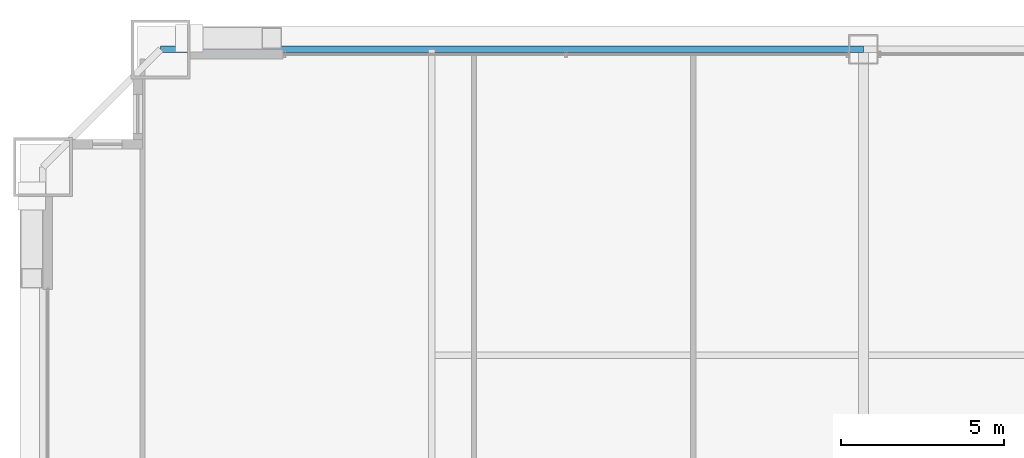
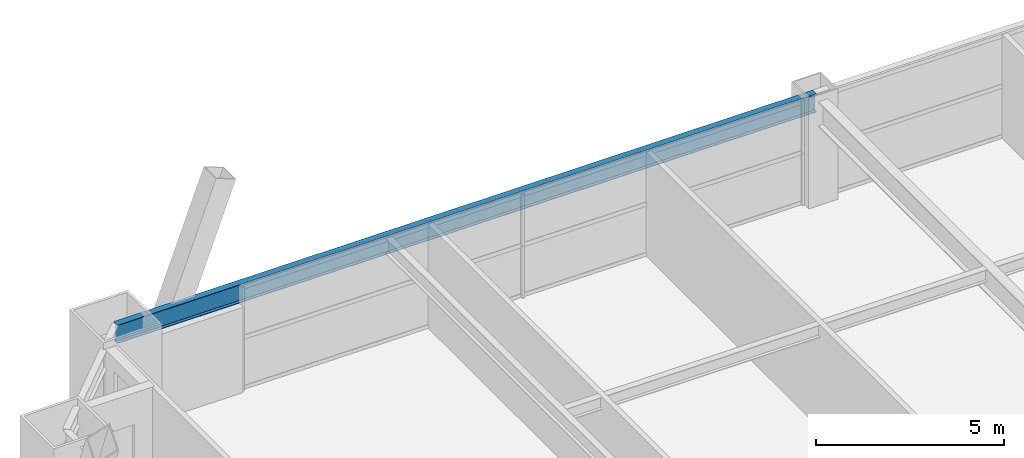
# One storey, part 27 of 43: 1 beam.
"""IFC4 building model written with IfcOpenShell, lengths in metres."""

from ifc_helpers import new_model, si_unit, direction, frame, origin, origin_2d, place, context, subcontext, project, spatial, i_section, extrude, source, transform, mapped, material, material_profile, profile_set, type_object, element, save


model = new_model("IFC4")

# Units and contexts
model_context = context("Model", 3, precision=1e-05, world=origin(), true_north=direction((0.0, 1.0)))
body_context = subcontext(model_context, "Body", "Model", "MODEL_VIEW")
ifc_project = project(units=[si_unit("LENGTHUNIT", "METRE"), si_unit("AREAUNIT", "SQUARE_METRE"), si_unit("VOLUMEUNIT", "CUBIC_METRE"), si_unit("PLANEANGLEUNIT", "RADIAN"), si_unit("MASSUNIT", "GRAM", prefix="KILO"), si_unit("THERMODYNAMICTEMPERATUREUNIT", "KELVIN"), si_unit("POWERUNIT", "WATT")], contexts=[model_context])

# Site, building, storey
site_placement = place(None, origin())
site = spatial("IfcSite", under=ifc_project, at=site_placement, CompositionType="ELEMENT")
building_placement = place(site_placement, origin())
building = spatial("IfcBuilding", under=site, at=building_placement, Name="Yuzanri Waterfront Tower", CompositionType="ELEMENT")
storey_placement = place(building_placement, frame((0.0, 0.0, 60.39990234375)))
storey = spatial("IfcBuildingStorey", under=building, at=storey_placement, Name="L15", CompositionType="ELEMENT", Elevation=60.39990234375)

# Beam
ifc_material = material(Name="Steel Q355B", Category="steel")
ifc_material_profile = material_profile(ifc_material, i_section(OverallWidth=0.199951171875, OverallDepth=0.60009765625, WebThickness=0.010986328125, FlangeThickness=0.01708984375, at=origin_2d()), Name="HN 600x200x11x17")
ifc_profile_set = profile_set([ifc_material_profile], Name="Steel Q355B")
beam_type = type_object("IfcBeamType", Name="Perimeter Spandrel Q355B HN 600x200", PredefinedType="SPANDREL", material=ifc_profile_set)
shared_shape = source(origin(), body_context, "Body", "SweptSolid", [
    extrude(i_section(OverallWidth=0.199951171875, OverallDepth=0.60009765625, WebThickness=0.010986328125, FlangeThickness=0.01708984375, at=origin_2d()), origin(), (0.0, 0.0, 1.0), 21.5),
])
beam_placement = place(storey_placement, frame((37.0, 50.89990234375, 3.080078125), z_axis=(-1.0, 0.0, 0.0), x_axis=(0.0, -1.0, 0.0)))
element("IfcBeam", 1, at=beam_placement, inside=storey, type_object=beam_type, Name="L15 Perimeter Spandrel N2-N1", PredefinedType="SPANDREL", context=body_context, shape_type="MappedRepresentation", body=[
    mapped(shared_shape, transform((0.0, 0.0, 0.0), scale=1.0)),
])

save(model, "model.ifc")
